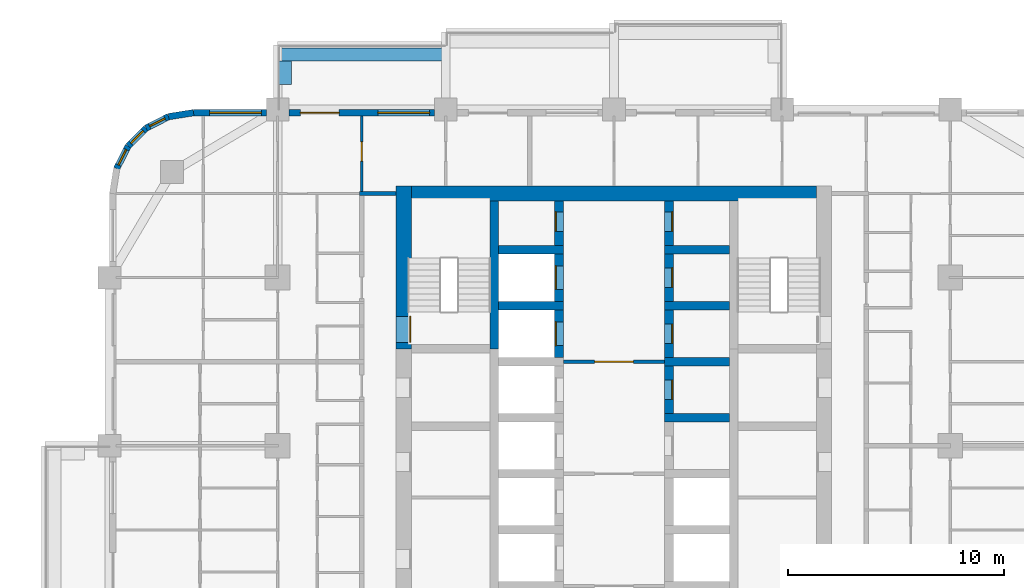
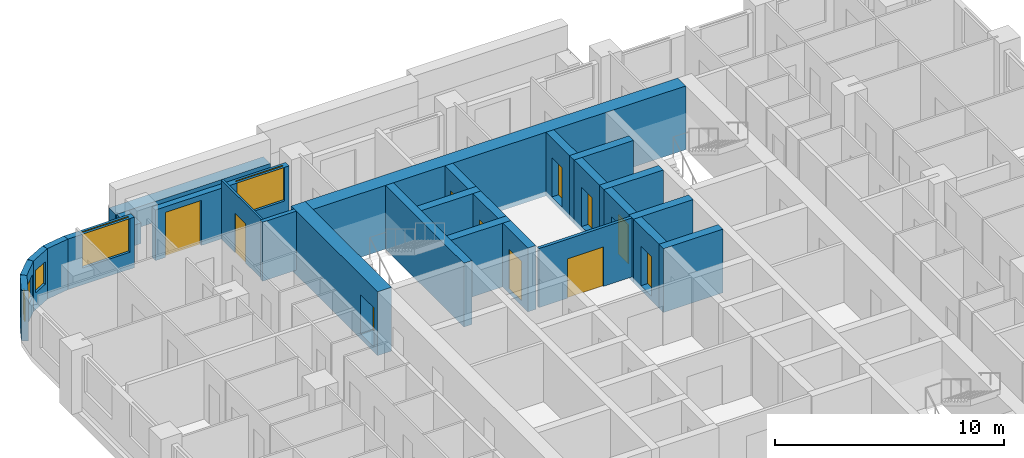
# One storey, part 11 of 17: 27 walls, 11 doors, 5 windows, 16 openings.
"""IFC4 building model written with IfcOpenShell, lengths in metres."""

import ifcopenshell
import ifcopenshell.guid

model = None  # the IFC model being written
_history = None  # IfcOwnerHistory: only IFC2X3 demands one
_inside = {}  # id of a spatial element -> (the spatial element, [elements in it])
_under = {}  # id of a project, library or spatial element -> (it, [spatial elements below it])
_declared = {}  # id of a project -> (the project, [libraries it declares])
_typed = {}  # id of a type object -> (the type object, [elements of that type])
_made_of = {}  # id of a material, layer set ... -> (it, [elements and type objects made of it])


def new_model(schema):
    """Start an empty IFC model of exactly this schema.

    Asked for "IFC4X3", IfcOpenShell would pick the latest addendum, in which some entities
    have other attributes; the version numbers below select the first issue.
    IFC2X3 requires an IfcOwnerHistory on every rooted entity: one is made here for all.
    """
    global model, _history
    if schema == "IFC4X3":
        model = ifcopenshell.file(schema_version=(4, 3, 0, 0))
    else:
        model = ifcopenshell.file(schema=schema)
    _inside.clear()
    _under.clear()
    _declared.clear()
    _typed.clear()
    _made_of.clear()
    _history = None
    if model.schema == "IFC2X3":
        org = make("IfcOrganization", Name="unknown")
        user = make(
            "IfcPersonAndOrganization",
            ThePerson=make("IfcPerson", FamilyName="unknown"),
            TheOrganization=org,
        )
        app = make(
            "IfcApplication",
            ApplicationDeveloper=org,
            Version="unknown",
            ApplicationFullName="unknown",
            ApplicationIdentifier="unknown",
        )
        _history = make(
            "IfcOwnerHistory",
            OwningUser=user,
            OwningApplication=app,
            ChangeAction="ADDED",
            CreationDate=0,
        )
    return model


def make(cls, **values):
    """One entity of the class cls with the attributes given. An attribute that is None is left unset."""
    return model.create_entity(
        cls, **{name: value for name, value in values.items() if value is not None}
    )


def rooted(cls, **values):
    """An entity with a GlobalId (a new one), such as an element, a storey or a relation."""
    return make(cls, GlobalId=ifcopenshell.guid.new(), OwnerHistory=_history, **values)


def si_unit(unit_type, name, prefix=None):
    """IfcSIUnit, for example si_unit("LENGTHUNIT", "METRE", prefix="MILLI")."""
    return make("IfcSIUnit", UnitType=unit_type, Prefix=prefix, Name=name)


def assignment(units):
    """IfcUnitAssignment: the units of a project."""
    return None if units is None else make("IfcUnitAssignment", Units=units)


def point(xyz):
    """IfcCartesianPoint."""
    return None if xyz is None else make("IfcCartesianPoint", Coordinates=xyz)


def direction(xyz):
    """IfcDirection."""
    return None if xyz is None else make("IfcDirection", DirectionRatios=xyz)


def frame(location, z_axis=None, x_axis=None):
    """IfcAxis2Placement3D, a coordinate frame: its origin and axes. An axis left out is left unset."""
    return make(
        "IfcAxis2Placement3D",
        Location=point(location),
        Axis=direction(z_axis),
        RefDirection=direction(x_axis),
    )


def frame_2d(location, x_axis=None):
    """IfcAxis2Placement2D, a coordinate frame in the plane: its origin and x axis."""
    return make(
        "IfcAxis2Placement2D", Location=point(location), RefDirection=direction(x_axis)
    )


def origin():
    """The frame at (0, 0, 0) with its axes left unset."""
    return frame((0.0, 0.0, 0.0))


def place(relative_to, where):
    """IfcLocalPlacement: puts the frame where relative to a parent placement (None: the world)."""
    return make(
        "IfcLocalPlacement", PlacementRelTo=relative_to, RelativePlacement=where
    )


def context(
    kind, dimensions, precision=None, world=None, true_north=None, identifier=None
):
    """IfcGeometricRepresentationContext, for example the 3D "Model" context."""
    return make(
        "IfcGeometricRepresentationContext",
        ContextIdentifier=identifier,
        ContextType=kind,
        CoordinateSpaceDimension=dimensions,
        Precision=precision,
        WorldCoordinateSystem=world,
        TrueNorth=true_north,
    )


def subcontext(parent, identifier, kind, view, scale=None):
    """IfcGeometricRepresentationSubContext, for example "Body" below "Model"."""
    return make(
        "IfcGeometricRepresentationSubContext",
        ContextIdentifier=identifier,
        ContextType=kind,
        ParentContext=parent,
        TargetScale=scale,
        TargetView=view,
    )


def project(units=None, contexts=None):
    """IfcProject with its units and contexts."""
    return rooted(
        "IfcProject",
        Name="project",
        RepresentationContexts=contexts,
        UnitsInContext=assignment(units),
    )


def spatial(cls, under=None, at=None, **own):
    """A site, building, storey or space (cls), placed at a placement, below another one or the project."""
    s = rooted(cls, ObjectPlacement=at, **own)
    if under is not None:
        _under.setdefault(under.id(), (under, []))[1].append(s)
    return s


def profile(cls, at=None, kind="AREA", **sizes):
    """A parametric profile (cls). Its sizes go by their IFC names, for example OverallWidth=200.0."""
    return make(cls, ProfileType=kind, Position=at, **sizes)


def rectangle(**sizes):
    """IfcRectangleProfileDef."""
    return profile("IfcRectangleProfileDef", **sizes)


def extrude(swept, where, along, depth):
    """IfcExtrudedAreaSolid: the profile swept, set in the frame where, extruded along a direction by depth."""
    return make(
        "IfcExtrudedAreaSolid",
        SweptArea=swept,
        Position=where,
        ExtrudedDirection=direction(along),
        Depth=depth,
    )


def shape(context_of_items, identifier, shape_type, items):
    """IfcShapeRepresentation: the items that make up one representation, for example the "Body"."""
    return make(
        "IfcShapeRepresentation",
        ContextOfItems=context_of_items,
        RepresentationIdentifier=identifier,
        RepresentationType=shape_type,
        Items=items,
    )


def material(Name=None, Category=None):
    """IfcMaterial."""
    return make("IfcMaterial", Name=Name, Category=Category)


def layer(
    of_material, thickness, ventilated=None, Name=None, Category=None, Priority=None
):
    """IfcMaterialLayer: one layer of a wall or slab, of a material (None: an air gap)."""
    return make(
        "IfcMaterialLayer",
        Material=of_material,
        LayerThickness=thickness,
        IsVentilated=ventilated,
        Name=Name,
        Category=Category,
        Priority=Priority,
    )


def layer_set(layers, Name=None):
    """IfcMaterialLayerSet."""
    return make("IfcMaterialLayerSet", MaterialLayers=layers, LayerSetName=Name)


def made_of(thing, what):
    """Note that an element or type object is made of a material, layer set ...; save() writes the relation."""
    if what is not None:
        _made_of.setdefault(what.id(), (what, []))[1].append(thing)
    return thing


def type_object(cls, material=None, **own):
    """A type object (cls), such as IfcWallType, which elements share."""
    return made_of(rooted(cls, **own), material)


def element(
    cls,
    number,
    at=None,
    inside=None,
    cuts=None,
    type_object=None,
    material=None,
    context=None,
    identifier="Body",
    shape_type=None,
    held_by="IfcProductDefinitionShape",
    body=None,
    shapes=None,
    **own,
):
    """One element of the class cls, such as IfcWall. Its Tag is "e" and its number.

    at: its placement. inside: the storey or other place that contains it. cuts: it is an
    opening in that element (IfcRelVoidsElement). A single representation is given by context,
    identifier, shape_type and body (its items); several are given by shapes. held_by: the class
    of the entity that holds the representations. save() writes the other relations.
    """
    e = rooted(cls, Tag="e%d" % number, ObjectPlacement=at, **own)
    if body is not None:
        shapes = [shape(context, identifier, shape_type, body)]
    if shapes is not None:
        e.Representation = make(held_by, Representations=shapes)
    if inside is not None:
        _inside.setdefault(inside.id(), (inside, []))[1].append(e)
    if cuts is not None:
        rooted(
            "IfcRelVoidsElement", RelatingBuildingElement=cuts, RelatedOpeningElement=e
        )
    if type_object is not None:
        _typed.setdefault(type_object.id(), (type_object, []))[1].append(e)
    return made_of(e, material)


def fill(opening, filler):
    """IfcRelFillsElement: the door or window that sits in an opening."""
    return rooted(
        "IfcRelFillsElement",
        RelatingOpeningElement=opening,
        RelatedBuildingElement=filler,
    )


def aggregate(whole, parts):
    """IfcRelAggregates: a whole, such as a stair, and the parts it consists of."""
    return rooted("IfcRelAggregates", RelatingObject=whole, RelatedObjects=parts)


def save(model, path):
    """Write the relations noted so far, then the file.

    IfcRelAggregates (storeys below a building ...), IfcRelContainedInSpatialStructure (elements
    in a storey), IfcRelDefinesByType, IfcRelAssociatesMaterial and IfcRelDeclares: one each for
    every whole, place, type object, material and project.
    """
    for whole, parts in _under.values():
        aggregate(whole, parts)
    for where, things in _inside.values():
        rooted(
            "IfcRelContainedInSpatialStructure",
            RelatedElements=things,
            RelatingStructure=where,
        )
    for kind, things in _typed.values():
        rooted("IfcRelDefinesByType", RelatedObjects=things, RelatingType=kind)
    for what, things in _made_of.values():
        rooted("IfcRelAssociatesMaterial", RelatedObjects=things, RelatingMaterial=what)
    for by, libraries in _declared.values():
        rooted("IfcRelDeclares", RelatingContext=by, RelatedDefinitions=libraries)
    model.write(path)


model = new_model("IFC4")

# Units and contexts
model_context = context("Model", 3, precision=1e-05, world=origin(), true_north=direction((0.0, 1.0)))
body_context = subcontext(model_context, "Body", "Model", "MODEL_VIEW")
ifc_project = project(units=[si_unit("LENGTHUNIT", "METRE"), si_unit("AREAUNIT", "SQUARE_METRE"), si_unit("VOLUMEUNIT", "CUBIC_METRE"), si_unit("PLANEANGLEUNIT", "RADIAN"), si_unit("MASSUNIT", "GRAM", prefix="KILO")], contexts=[model_context])

# Site, building, storey
site_placement = place(None, origin())
site = spatial("IfcSite", under=ifc_project, at=site_placement, CompositionType="ELEMENT")
building_placement = place(site_placement, origin())
building = spatial("IfcBuilding", under=site, at=building_placement, Name="Ludao Terraces", CompositionType="ELEMENT")
storey_placement = place(building_placement, frame((0.0, 0.0, 54.60009765625)))
storey = spatial("IfcBuildingStorey", under=building, at=storey_placement, Name="L14", CompositionType="ELEMENT", Elevation=54.60009765625)

# Wall, opening, door
ifc_material_1 = material(Name="Concrete C70", Category="concrete")
ifc_layer_1 = layer(ifc_material_1, 0.699951171875)
ifc_layer_set_1 = layer_set([ifc_layer_1], Name="Core wall 700 C70")
wall_type_1 = type_object("IfcWallType", Name="Core wall 700 C70", PredefinedType="SOLIDWALL", material=ifc_layer_set_1)
wall_1_placement = place(storey_placement, frame((75.25, 77.300048828125, -0.25), z_axis=(0.0, 0.0, 1.0), x_axis=(0.0, 1.0, 0.0)))
wall_1 = element("IfcWall", 1, at=wall_1_placement, inside=storey, type_object=wall_type_1, Name="Core wall L14 outer-W-S1", PredefinedType="SOLIDWALL", context=body_context, shape_type="SweptSolid", body=[
    extrude(rectangle(XDim=7.550048828125, YDim=0.699951171875, at=frame_2d((3.77490234375, 0.0))), origin(), (0.0, 0.0, 1.0), 3.39990234375),
])
opening_1_placement = place(wall_1_placement, frame((0.300048828125, 0.0, 0.25)))
opening_1 = element("IfcOpeningElement", 2, at=opening_1_placement, cuts=wall_1, Name="Opening R04-131", PredefinedType="OPENING", context=body_context, shape_type="SweptSolid", body=[
    extrude(rectangle(XDim=1.199951171875, YDim=2.10009765625, at=frame_2d((0.60009765625, 1.050048828125))), frame((0.0, 0.35986328125, 0.0), z_axis=(0.0, -1.0, 0.0), x_axis=(1.0, 0.0, 0.0)), (0.0, 0.0, 1.0), 0.719970703125),
])
ifc_material_2 = material(Name="Steel Q235", Category="steel")
door_type_1 = type_object("IfcDoorType", Name="INT Stair door 1200", OperationType="DOUBLE_DOOR_SINGLE_SWING", PredefinedType="DOOR", material=ifc_material_2)
door_1_placement = place(opening_1_placement, origin())
door_1 = element("IfcDoor", 3, at=door_1_placement, inside=storey, type_object=door_type_1, Name="DOOR 131", OperationType="DOUBLE_DOOR_SINGLE_SWING", OverallHeight=2.10009765625, OverallWidth=1.199951171875, PredefinedType="DOOR", context=body_context, shape_type="SweptSolid", body=[
    extrude(rectangle(XDim=1.199951171875, YDim=2.10009765625, at=frame_2d((0.60009765625, 1.050048828125))), frame((0.0, -0.28515625, 0.0), z_axis=(0.0, -1.0, 0.0), x_axis=(1.0, 0.0, 0.0)), (0.0, 0.0, 1.0), 0.050048828125),
])
fill(opening_1, door_1)

# Walls
wall_2_placement = place(storey_placement, frame((75.60009765625, 84.5, -0.25), z_axis=(0.0, 0.0, 1.0), x_axis=(1.0, 0.0, 0.0)))
element("IfcWall", 4, at=wall_2_placement, inside=storey, type_object=wall_type_1, Name="Core wall L14 outer-N", PredefinedType="SOLIDWALL", context=body_context, shape_type="SweptSolid", body=[
    extrude(rectangle(XDim=18.7998046875, YDim=0.699951171875, at=frame_2d((9.39990234375, 0.0))), origin(), (0.0, 0.0, 1.0), 3.39990234375),
])
ifc_material_3 = material(Name="Concrete C40", Category="concrete")
ifc_layer_2 = layer(ifc_material_3, 0.60009765625)
ifc_layer_set_2 = layer_set([ifc_layer_2], Name="ENV Planter trough 600")
wall_type_2 = type_object("IfcWallType", Name="ENV Planter trough 600", PredefinedType="USERDEFINED", material=ifc_layer_set_2)
wall_3_placement = place(storey_placement, frame((69.39990234375, 90.949951171875, 0.0), z_axis=(0.0, 0.0, 1.0), x_axis=(1.0, 0.0, 0.0)))
element("IfcWall", 5, at=wall_3_placement, inside=storey, type_object=wall_type_2, Name="PL-L14-N1", ObjectType="PLANTER", PredefinedType="USERDEFINED", context=body_context, shape_type="SweptSolid", body=[
    extrude(rectangle(XDim=7.800048828125, YDim=0.60009765625, at=frame_2d((3.89990234375, 0.0))), origin(), (0.0, 0.0, 1.0), 1.099853515625),
])
wall_4_placement = place(storey_placement, frame((69.75, 90.64990234375, 0.0), z_axis=(0.0, 0.0, 1.0), x_axis=(0.0, -1.0, 0.0)))
element("IfcWall", 6, at=wall_4_placement, inside=storey, type_object=wall_type_2, Name="PL-L14-N1-SA", ObjectType="PLANTER", PredefinedType="USERDEFINED", context=body_context, shape_type="SweptSolid", body=[
    extrude(rectangle(XDim=1.099853515625, YDim=0.60009765625, at=frame_2d((0.5498046875, 0.0))), origin(), (0.0, 0.0, 1.0), 1.099853515625),
])

# Wall, opening, window
ifc_material_4 = material(Name="Granite cladding", Category="masonry")
ifc_layer_3 = layer(ifc_material_4, 0.0400390625, Category="stone")
ifc_material_5 = material(Name="Mineral wool")
ifc_layer_4 = layer(ifc_material_5, 0.06005859375)
ifc_layer_5 = layer(ifc_material_3, 0.199951171875, Category="concrete")
ifc_layer_set_3 = layer_set([ifc_layer_3, ifc_layer_4, ifc_layer_5], Name="ENV Stone-clad wall 300")
wall_type_3 = type_object("IfcWallType", Name="ENV Stone-clad wall 300", PredefinedType="SOLIDWALL", material=ifc_layer_set_3)
wall_5_placement = place(storey_placement, frame((65.5, 88.25, 0.0), z_axis=(0.0, 0.0, 1.0), x_axis=(1.0, 0.0, 0.0)))
wall_5 = element("IfcWall", 7, at=wall_5_placement, inside=storey, type_object=wall_type_3, Name="EW-L14-N1", PredefinedType="SOLIDWALL", context=body_context, shape_type="SweptSolid", body=[
    extrude(rectangle(XDim=3.375, YDim=0.300048828125, at=frame_2d((1.6875, 0.0))), origin(), (0.0, 0.0, 1.0), 2.699951171875),
])
opening_2_placement = place(wall_5_placement, frame((0.75, 0.0, 0.89990234375)))
opening_2 = element("IfcOpeningElement", 8, at=opening_2_placement, cuts=wall_5, Name="Opening W1", PredefinedType="OPENING", context=body_context, shape_type="SweptSolid", body=[
    extrude(rectangle(XDim=2.39990234375, YDim=1.800048828125, at=frame_2d((1.199951171875, 0.89990234375))), frame((0.0, 0.16015625, 0.0), z_axis=(0.0, -1.0, 0.0), x_axis=(1.0, 0.0, 0.0)), (0.0, 0.0, 1.0), 0.320068359375),
])
ifc_material_6 = material(Name="Clear glass in aluminium frame", Category="aluminium")
ifc_layer_6 = layer(ifc_material_6, 0.06005859375)
ifc_layer_set_4 = layer_set([ifc_layer_6], Name="ENV Window W1 2400x1800")
window_type_1 = type_object("IfcWindowType", Name="ENV Window W1 2400x1800", PartitioningType="DOUBLE_PANEL_VERTICAL", PredefinedType="WINDOW", material=ifc_layer_set_4)
window_1_placement = place(opening_2_placement, origin())
window_1 = element("IfcWindow", 9, at=window_1_placement, inside=storey, type_object=window_type_1, Name="W-L14-N1-1", OverallHeight=1.800048828125, OverallWidth=2.39990234375, PartitioningType="DOUBLE_PANEL_VERTICAL", PredefinedType="WINDOW", context=body_context, shape_type="SweptSolid", body=[
    extrude(rectangle(XDim=2.39990234375, YDim=1.800048828125, at=frame_2d((1.199951171875, 0.89990234375))), frame((0.0, 0.030029296875, 0.0), z_axis=(0.0, -1.0, 0.0), x_axis=(1.0, 0.0, 0.0)), (0.0, 0.0, 1.0), 0.06005859375),
])
fill(opening_2, window_1)

# Wall, openings, door, window
wall_6_placement = place(storey_placement, frame((69.925048828125, 88.25, 0.0), z_axis=(0.0, 0.0, 1.0), x_axis=(1.0, 0.0, 0.0)))
wall_6 = element("IfcWall", 10, at=wall_6_placement, inside=storey, type_object=wall_type_3, Name="EW-L14-N2", PredefinedType="SOLIDWALL", context=body_context, shape_type="SweptSolid", body=[
    extrude(rectangle(XDim=6.75, YDim=0.300048828125, at=frame_2d((3.375, 0.0))), origin(), (0.0, 0.0, 1.0), 2.699951171875),
])
opening_3_placement = place(wall_6_placement, frame((0.52490234375, 0.0, 0.0)))
opening_3 = element("IfcOpeningElement", 11, at=opening_3_placement, cuts=wall_6, Name="Opening BD", PredefinedType="OPENING", context=body_context, shape_type="SweptSolid", body=[
    extrude(rectangle(XDim=1.800048828125, YDim=2.39990234375, at=frame_2d((0.89990234375, 1.199951171875))), frame((0.0, 0.16015625, 0.0), z_axis=(0.0, -1.0, 0.0), x_axis=(1.0, 0.0, 0.0)), (0.0, 0.0, 1.0), 0.320068359375),
])
opening_4_placement = place(wall_6_placement, frame((4.125, 0.0, 0.89990234375)))
opening_4 = element("IfcOpeningElement", 12, at=opening_4_placement, cuts=wall_6, Name="Opening W1", PredefinedType="OPENING", context=body_context, shape_type="SweptSolid", body=[
    extrude(rectangle(XDim=2.39990234375, YDim=1.800048828125, at=frame_2d((1.199951171875, 0.89990234375))), frame((0.0, 0.16015625, 0.0), z_axis=(0.0, -1.0, 0.0), x_axis=(1.0, 0.0, 0.0)), (0.0, 0.0, 1.0), 0.320068359375),
])
ifc_material_7 = material(Name="Aluminium glazed door", Category="aluminium")
ifc_layer_7 = layer(ifc_material_7, 0.06005859375)
ifc_layer_set_5 = layer_set([ifc_layer_7], Name="ENV Balcony door BD 1800x2400")
door_type_2 = type_object("IfcDoorType", Name="ENV Balcony door BD 1800x2400", OperationType="DOUBLE_DOOR_SINGLE_SWING", PredefinedType="DOOR", material=ifc_layer_set_5)
door_2_placement = place(opening_3_placement, origin())
door_2 = element("IfcDoor", 13, at=door_2_placement, inside=storey, type_object=door_type_2, Name="BD-L14-N2-1", OperationType="DOUBLE_DOOR_SINGLE_SWING", OverallHeight=2.39990234375, OverallWidth=1.800048828125, PredefinedType="DOOR", context=body_context, shape_type="SweptSolid", body=[
    extrude(rectangle(XDim=1.800048828125, YDim=2.39990234375, at=frame_2d((0.89990234375, 1.199951171875))), frame((0.0, 0.02490234375, 0.0), z_axis=(0.0, -1.0, 0.0), x_axis=(1.0, 0.0, 0.0)), (0.0, 0.0, 1.0), 0.050048828125),
])
fill(opening_3, door_2)
window_2_placement = place(opening_4_placement, origin())
window_2 = element("IfcWindow", 14, at=window_2_placement, inside=storey, type_object=window_type_1, Name="W-L14-N2-2", OverallHeight=1.800048828125, OverallWidth=2.39990234375, PartitioningType="DOUBLE_PANEL_VERTICAL", PredefinedType="WINDOW", context=body_context, shape_type="SweptSolid", body=[
    extrude(rectangle(XDim=2.39990234375, YDim=1.800048828125, at=frame_2d((1.199951171875, 0.89990234375))), frame((0.0, 0.030029296875, 0.0), z_axis=(0.0, -1.0, 0.0), x_axis=(1.0, 0.0, 0.0)), (0.0, 0.0, 1.0), 0.06005859375),
])
fill(opening_4, window_2)

# Wall
wall_7_placement = place(storey_placement, frame((65.5, 88.25, 0.0), z_axis=(0.0, 0.0, 1.0), x_axis=(-0.987678452879, -0.156496880861, 0.0)))
element("IfcWall", 15, at=wall_7_placement, inside=storey, type_object=wall_type_3, Name="EW-L14-NW1", PredefinedType="SOLIDWALL", context=body_context, shape_type="SweptSolid", body=[
    extrude(rectangle(XDim=1.173095703125, YDim=0.300048828125, at=frame_2d((0.58642578125, 0.0))), origin(), (0.0, 0.0, 1.0), 2.699951171875),
])

# Wall, opening, window
wall_8_placement = place(storey_placement, frame((64.34130859375, 88.06640625, 0.0), z_axis=(0.0, 0.0, 1.0), x_axis=(-0.890988677504, -0.454025524128, 0.0)))
wall_8 = element("IfcWall", 16, at=wall_8_placement, inside=storey, type_object=wall_type_3, Name="EW-L14-NW2", PredefinedType="SOLIDWALL", context=body_context, shape_type="SweptSolid", body=[
    extrude(rectangle(XDim=1.17333984375, YDim=0.300048828125, at=frame_2d((0.586669921875, 0.0))), origin(), (0.0, 0.0, 1.0), 2.699951171875),
])
opening_5_placement = place(wall_8_placement, frame((0.1865234375, 0.0, 0.89990234375)))
opening_5 = element("IfcOpeningElement", 17, at=opening_5_placement, cuts=wall_8, Name="Opening W3", PredefinedType="OPENING", context=body_context, shape_type="SweptSolid", body=[
    extrude(rectangle(XDim=0.800048828125, YDim=1.199951171875, at=frame_2d((0.39990234375, 0.60009765625))), frame((0.0, 0.16015625, 0.0), z_axis=(0.0, -1.0, 0.0), x_axis=(1.0, 0.0, 0.0)), (0.0, 0.0, 1.0), 0.320068359375),
])
ifc_layer_8 = layer(ifc_material_6, 0.06005859375)
ifc_layer_set_6 = layer_set([ifc_layer_8], Name="ENV Window W3 800x1200")
window_type_2 = type_object("IfcWindowType", Name="ENV Window W3 800x1200", PartitioningType="SINGLE_PANEL", PredefinedType="WINDOW", material=ifc_layer_set_6)
window_3_placement = place(opening_5_placement, origin())
window_3 = element("IfcWindow", 18, at=window_3_placement, inside=storey, type_object=window_type_2, Name="W-L14-NW2", OverallHeight=1.199951171875, OverallWidth=0.800048828125, PartitioningType="SINGLE_PANEL", PredefinedType="WINDOW", context=body_context, shape_type="SweptSolid", body=[
    extrude(rectangle(XDim=0.800048828125, YDim=1.199951171875, at=frame_2d((0.39990234375, 0.60009765625))), frame((0.0, 0.030029296875, 0.0), z_axis=(0.0, -1.0, 0.0), x_axis=(1.0, 0.0, 0.0)), (0.0, 0.0, 1.0), 0.06005859375),
])
fill(opening_5, window_3)

wall_9_placement = place(storey_placement, frame((63.2958984375, 87.53369140625, 0.0), z_axis=(0.0, 0.0, 1.0), x_axis=(-0.707106781187, -0.707106781187, 0.0)))
wall_9 = element("IfcWall", 19, at=wall_9_placement, inside=storey, type_object=wall_type_3, Name="EW-L14-NW3", PredefinedType="SOLIDWALL", context=body_context, shape_type="SweptSolid", body=[
    extrude(rectangle(XDim=1.173095703125, YDim=0.300048828125, at=frame_2d((0.58642578125, 0.0))), origin(), (0.0, 0.0, 1.0), 2.699951171875),
])
opening_6_placement = place(wall_9_placement, frame((0.1865234375, 0.0, 0.89990234375)))
opening_6 = element("IfcOpeningElement", 20, at=opening_6_placement, cuts=wall_9, Name="Opening W3", PredefinedType="OPENING", context=body_context, shape_type="SweptSolid", body=[
    extrude(rectangle(XDim=0.800048828125, YDim=1.199951171875, at=frame_2d((0.39990234375, 0.60009765625))), frame((0.0, 0.16015625, 0.0), z_axis=(0.0, -1.0, 0.0), x_axis=(1.0, 0.0, 0.0)), (0.0, 0.0, 1.0), 0.320068359375),
])
window_4_placement = place(opening_6_placement, origin())
window_4 = element("IfcWindow", 21, at=window_4_placement, inside=storey, type_object=window_type_2, Name="W-L14-NW3", OverallHeight=1.199951171875, OverallWidth=0.800048828125, PartitioningType="SINGLE_PANEL", PredefinedType="WINDOW", context=body_context, shape_type="SweptSolid", body=[
    extrude(rectangle(XDim=0.800048828125, YDim=1.199951171875, at=frame_2d((0.39990234375, 0.60009765625))), frame((0.0, 0.030029296875, 0.0), z_axis=(0.0, -1.0, 0.0), x_axis=(1.0, 0.0, 0.0)), (0.0, 0.0, 1.0), 0.06005859375),
])
fill(opening_6, window_4)

wall_10_placement = place(storey_placement, frame((62.46630859375, 86.7041015625, 0.0), z_axis=(0.0, 0.0, 1.0), x_axis=(-0.454025524128, -0.890988677504, 0.0)))
wall_10 = element("IfcWall", 22, at=wall_10_placement, inside=storey, type_object=wall_type_3, Name="EW-L14-NW4", PredefinedType="SOLIDWALL", context=body_context, shape_type="SweptSolid", body=[
    extrude(rectangle(XDim=1.17333984375, YDim=0.300048828125, at=frame_2d((0.586669921875, 0.0))), origin(), (0.0, 0.0, 1.0), 2.699951171875),
])
opening_7_placement = place(wall_10_placement, frame((0.1865234375, 0.0, 0.89990234375)))
opening_7 = element("IfcOpeningElement", 23, at=opening_7_placement, cuts=wall_10, Name="Opening W3", PredefinedType="OPENING", context=body_context, shape_type="SweptSolid", body=[
    extrude(rectangle(XDim=0.800048828125, YDim=1.199951171875, at=frame_2d((0.39990234375, 0.60009765625))), frame((0.0, 0.16015625, 0.0), z_axis=(0.0, -1.0, 0.0), x_axis=(1.0, 0.0, 0.0)), (0.0, 0.0, 1.0), 0.320068359375),
])
window_5_placement = place(opening_7_placement, origin())
window_5 = element("IfcWindow", 24, at=window_5_placement, inside=storey, type_object=window_type_2, Name="W-L14-NW4", OverallHeight=1.199951171875, OverallWidth=0.800048828125, PartitioningType="SINGLE_PANEL", PredefinedType="WINDOW", context=body_context, shape_type="SweptSolid", body=[
    extrude(rectangle(XDim=0.800048828125, YDim=1.199951171875, at=frame_2d((0.39990234375, 0.60009765625))), frame((0.0, 0.030029296875, 0.0), z_axis=(0.0, -1.0, 0.0), x_axis=(1.0, 0.0, 0.0)), (0.0, 0.0, 1.0), 0.06005859375),
])
fill(opening_7, window_5)

# Wall, opening, door
ifc_material_8 = material(Name="Fire-rated gypsum plasterboard", Category="gypsum")
ifc_layer_9 = layer(ifc_material_8, 0.012451171875, Category="gypsum")
ifc_layer_10 = layer(ifc_material_5, 0.10009765625, Name="insulation")
ifc_layer_11 = layer(ifc_material_2, 0.02490234375, Name="stud")
ifc_layer_12 = layer(ifc_material_8, 0.012451171875, Category="gypsum")
ifc_layer_set_7 = layer_set([ifc_layer_9, ifc_layer_10, ifc_layer_11, ifc_layer_12], Name="INT Core partition 150")
wall_type_4 = type_object("IfcWallType", Name="INT Core partition 150", PredefinedType="PARTITIONING", material=ifc_layer_set_7)
wall_11_placement = place(storey_placement, frame((82.650146484375, 76.699951171875, 0.0), z_axis=(0.0, 0.0, 1.0), x_axis=(1.0, 0.0, 0.0)))
wall_11 = element("IfcWall", 25, at=wall_11_placement, inside=storey, type_object=wall_type_4, Name="PW-L14-PW063", PredefinedType="PARTITIONING", context=body_context, shape_type="SweptSolid", body=[
    extrude(rectangle(XDim=4.699951171875, YDim=0.14990234375, at=frame_2d((2.35009765625, 0.0))), origin(), (0.0, 0.0, 1.0), 3.14990234375),
])
opening_8_placement = place(wall_11_placement, frame((1.449951171875, 0.0, 0.0)))
opening_8 = element("IfcOpeningElement", 26, at=opening_8_placement, cuts=wall_11, Name="Opening R04-125", PredefinedType="OPENING", context=body_context, shape_type="SweptSolid", body=[
    extrude(rectangle(XDim=1.800048828125, YDim=2.10009765625, at=frame_2d((0.89990234375, 1.050048828125))), frame((0.0, 0.0849609375, 0.0), z_axis=(0.0, -1.0, 0.0), x_axis=(1.0, 0.0, 0.0)), (0.0, 0.0, 1.0), 0.169921875),
])
door_type_3 = type_object("IfcDoorType", Name="INT Fire lobby door 1800", OperationType="DOUBLE_DOOR_SINGLE_SWING", PredefinedType="DOOR", material=ifc_material_2)
door_3_placement = place(opening_8_placement, origin())
door_3 = element("IfcDoor", 27, at=door_3_placement, inside=storey, type_object=door_type_3, Name="DOOR 125", OperationType="DOUBLE_DOOR_SINGLE_SWING", OverallHeight=2.10009765625, OverallWidth=1.800048828125, PredefinedType="DOOR", context=body_context, shape_type="SweptSolid", body=[
    extrude(rectangle(XDim=1.800048828125, YDim=2.10009765625, at=frame_2d((0.89990234375, 1.050048828125))), frame((0.0, 0.02490234375, 0.0), z_axis=(0.0, -1.0, 0.0), x_axis=(1.0, 0.0, 0.0)), (0.0, 0.0, 1.0), 0.050048828125),
])
fill(opening_8, door_3)

# Wall
ifc_material_9 = material(Name="Autoclaved aerated concrete block B06 A3.5", Category="concrete")
ifc_layer_13 = layer(ifc_material_9, 0.199951171875)
ifc_layer_set_8 = layer_set([ifc_layer_13], Name="INT Entrance wall 200")
wall_type_5 = type_object("IfcWallType", Name="INT Entrance wall 200", PredefinedType="PARTITIONING", material=ifc_layer_set_8)
wall_12_placement = place(storey_placement, frame((73.2001953125, 84.5, 0.0), z_axis=(0.0, 0.0, 1.0), x_axis=(1.0, 0.0, 0.0)))
element("IfcWall", 28, at=wall_12_placement, inside=storey, type_object=wall_type_5, Name="PW-L14-PW077", PredefinedType="PARTITIONING", context=body_context, shape_type="SweptSolid", body=[
    extrude(rectangle(XDim=1.699951171875, YDim=0.199951171875, at=frame_2d((0.85009765625, 0.0))), origin(), (0.0, 0.0, 1.0), 3.14990234375),
])

# Wall, opening, door
ifc_material_10 = material(Name="Gypsum plasterboard", Category="gypsum")
ifc_layer_14 = layer(ifc_material_10, 0.012451171875, Category="gypsum")
ifc_layer_15 = layer(ifc_material_5, 0.06005859375, Name="insulation")
ifc_layer_16 = layer(ifc_material_2, 0.014892578125, Name="stud")
ifc_layer_17 = layer(ifc_material_10, 0.012451171875, Category="gypsum")
ifc_layer_set_9 = layer_set([ifc_layer_14, ifc_layer_15, ifc_layer_16, ifc_layer_17], Name="INT Partition 100")
wall_type_6 = type_object("IfcWallType", Name="INT Partition 100", PredefinedType="PARTITIONING", material=ifc_layer_set_9)
wall_13_placement = place(storey_placement, frame((73.300048828125, 84.60009765625, 0.0), z_axis=(0.0, 0.0, 1.0), x_axis=(0.0, 1.0, 0.0)))
wall_13 = element("IfcWall", 29, at=wall_13_placement, inside=storey, type_object=wall_type_6, Name="PW-L14-PW090", PredefinedType="PARTITIONING", context=body_context, shape_type="SweptSolid", body=[
    extrude(rectangle(XDim=3.5, YDim=0.10009765625, at=frame_2d((1.75, 0.0))), origin(), (0.0, 0.0, 1.0), 3.14990234375),
])
opening_9_placement = place(wall_13_placement, frame((1.39990234375, 0.0, 0.0)))
opening_9 = element("IfcOpeningElement", 30, at=opening_9_placement, cuts=wall_13, Name="Opening R04-157", PredefinedType="OPENING", context=body_context, shape_type="SweptSolid", body=[
    extrude(rectangle(XDim=0.89990234375, YDim=2.10009765625, at=frame_2d((0.449951171875, 1.050048828125))), frame((0.0, 0.06005859375, 0.0), z_axis=(0.0, -1.0, 0.0), x_axis=(1.0, 0.0, 0.0)), (0.0, 0.0, 1.0), 0.1201171875),
])
ifc_material_11 = material(Name="Timber door leaf", Category="wood")
door_type_4 = type_object("IfcDoorType", Name="INT Room door 900", OperationType="SINGLE_SWING_LEFT", PredefinedType="DOOR", material=ifc_material_11)
door_4_placement = place(opening_9_placement, origin())
door_4 = element("IfcDoor", 31, at=door_4_placement, inside=storey, type_object=door_type_4, Name="DOOR 157", OperationType="SINGLE_SWING_LEFT", OverallHeight=2.10009765625, OverallWidth=0.89990234375, PredefinedType="DOOR", context=body_context, shape_type="SweptSolid", body=[
    extrude(rectangle(XDim=0.89990234375, YDim=2.10009765625, at=frame_2d((0.449951171875, 1.050048828125))), frame((0.0, 0.02490234375, 0.0), z_axis=(0.0, -1.0, 0.0), x_axis=(1.0, 0.0, 0.0)), (0.0, 0.0, 1.0), 0.050048828125),
])
fill(opening_9, door_4)

# Wall
ifc_material_12 = material(Name="Concrete C60", Category="concrete")
ifc_layer_18 = layer(ifc_material_12, 0.39990234375)
ifc_layer_set_10 = layer_set([ifc_layer_18], Name="Shaft wall 400 C60")
wall_type_7 = type_object("IfcWallType", Name="Shaft wall 400 C60", PredefinedType="SOLIDWALL", material=ifc_layer_set_10)
wall_14_placement = place(storey_placement, frame((79.449951171875, 77.300048828125, -0.25), z_axis=(0.0, 0.0, 1.0), x_axis=(0.0, 1.0, 0.0)))
element("IfcWall", 32, at=wall_14_placement, inside=storey, type_object=wall_type_7, Name="Core wall L14 back-W-S1", PredefinedType="SOLIDWALL", context=body_context, shape_type="SweptSolid", body=[
    extrude(rectangle(XDim=6.849853515625, YDim=0.39990234375, at=frame_2d((3.4248046875, 0.0))), origin(), (0.0, 0.0, 1.0), 3.39990234375),
])

# Wall, opening, door
wall_15_placement = place(storey_placement, frame((82.449951171875, 76.89990234375, -0.25), z_axis=(0.0, 0.0, 1.0), x_axis=(0.0, 1.0, 0.0)))
wall_15 = element("IfcWall", 33, at=wall_15_placement, inside=storey, type_object=wall_type_7, Name="Core wall L14 front-W7", PredefinedType="SOLIDWALL", context=body_context, shape_type="SweptSolid", body=[
    extrude(rectangle(XDim=2.2001953125, YDim=0.39990234375, at=frame_2d((1.10009765625, 0.0))), origin(), (0.0, 0.0, 1.0), 3.39990234375),
])
opening_10_placement = place(wall_15_placement, frame((0.550048828125, 0.0, 0.25)))
opening_10 = element("IfcOpeningElement", 34, at=opening_10_placement, cuts=wall_15, Name="Opening LD-FF1", PredefinedType="OPENING", context=body_context, shape_type="SweptSolid", body=[
    extrude(rectangle(XDim=1.10009765625, YDim=2.10009765625, at=frame_2d((0.550048828125, 1.050048828125))), frame((0.0, 0.2099609375, 0.0), z_axis=(0.0, -1.0, 0.0), x_axis=(1.0, 0.0, 0.0)), (0.0, 0.0, 1.0), 0.419921875),
])
ifc_material_13 = material(Name="Stainless steel 304", Category="steel")
door_type_5 = type_object("IfcDoorType", Name="INT Lift landing door 1100", OperationType="SLIDING_TO_LEFT", PredefinedType="DOOR", material=ifc_material_13)
door_5_placement = place(opening_10_placement, origin())
door_5 = element("IfcDoor", 35, at=door_5_placement, inside=storey, type_object=door_type_5, Name="LANDING DOOR FF1 L14", OperationType="SLIDING_TO_LEFT", OverallHeight=2.10009765625, OverallWidth=1.10009765625, PredefinedType="DOOR", context=body_context, shape_type="SweptSolid", body=[
    extrude(rectangle(XDim=1.10009765625, YDim=2.10009765625, at=frame_2d((0.550048828125, 1.050048828125))), frame((0.0, 0.18505859375, 0.0), z_axis=(0.0, -1.0, 0.0), x_axis=(1.0, 0.0, 0.0)), (0.0, 0.0, 1.0), 0.050048828125),
])
fill(opening_10, door_5)

# Wall
wall_16_placement = place(storey_placement, frame((79.64990234375, 79.300048828125, -0.25), z_axis=(0.0, 0.0, 1.0), x_axis=(1.0, 0.0, 0.0)))
element("IfcWall", 36, at=wall_16_placement, inside=storey, type_object=wall_type_7, Name="Core wall L14 div-W8", PredefinedType="SOLIDWALL", context=body_context, shape_type="SweptSolid", body=[
    extrude(rectangle(XDim=3.0, YDim=0.39990234375, at=frame_2d((1.5, 0.0))), origin(), (0.0, 0.0, 1.0), 3.39990234375),
])

# Wall, opening, door
wall_17_placement = place(storey_placement, frame((82.449951171875, 79.5, -0.25), z_axis=(0.0, 0.0, 1.0), x_axis=(0.0, 1.0, 0.0)))
wall_17 = element("IfcWall", 37, at=wall_17_placement, inside=storey, type_object=wall_type_7, Name="Core wall L14 front-W8", PredefinedType="SOLIDWALL", context=body_context, shape_type="SweptSolid", body=[
    extrude(rectangle(XDim=2.199951171875, YDim=0.39990234375, at=frame_2d((1.10009765625, 0.0))), origin(), (0.0, 0.0, 1.0), 3.39990234375),
])
opening_11_placement = place(wall_17_placement, frame((0.550048828125, 0.0, 0.25)))
opening_11 = element("IfcOpeningElement", 38, at=opening_11_placement, cuts=wall_17, Name="Opening LD-FF2", PredefinedType="OPENING", context=body_context, shape_type="SweptSolid", body=[
    extrude(rectangle(XDim=1.10009765625, YDim=2.10009765625, at=frame_2d((0.550048828125, 1.050048828125))), frame((0.0, 0.2099609375, 0.0), z_axis=(0.0, -1.0, 0.0), x_axis=(1.0, 0.0, 0.0)), (0.0, 0.0, 1.0), 0.419921875),
])
door_6_placement = place(opening_11_placement, origin())
door_6 = element("IfcDoor", 39, at=door_6_placement, inside=storey, type_object=door_type_5, Name="LANDING DOOR FF2 L14", OperationType="SLIDING_TO_LEFT", OverallHeight=2.10009765625, OverallWidth=1.10009765625, PredefinedType="DOOR", context=body_context, shape_type="SweptSolid", body=[
    extrude(rectangle(XDim=1.10009765625, YDim=2.10009765625, at=frame_2d((0.550048828125, 1.050048828125))), frame((0.0, 0.18505859375, 0.0), z_axis=(0.0, -1.0, 0.0), x_axis=(1.0, 0.0, 0.0)), (0.0, 0.0, 1.0), 0.050048828125),
])
fill(opening_11, door_6)

# Wall
wall_18_placement = place(storey_placement, frame((79.64990234375, 81.89990234375, -0.25), z_axis=(0.0, 0.0, 1.0), x_axis=(1.0, 0.0, 0.0)))
element("IfcWall", 40, at=wall_18_placement, inside=storey, type_object=wall_type_7, Name="Core wall L14 div-W9", PredefinedType="SOLIDWALL", context=body_context, shape_type="SweptSolid", body=[
    extrude(rectangle(XDim=3.0, YDim=0.39990234375, at=frame_2d((1.5, 0.0))), origin(), (0.0, 0.0, 1.0), 3.39990234375),
])

# Wall, opening, door
wall_19_placement = place(storey_placement, frame((82.449951171875, 82.10009765625, -0.25), z_axis=(0.0, 0.0, 1.0), x_axis=(0.0, 1.0, 0.0)))
wall_19 = element("IfcWall", 41, at=wall_19_placement, inside=storey, type_object=wall_type_7, Name="Core wall L14 front-W9", PredefinedType="SOLIDWALL", context=body_context, shape_type="SweptSolid", body=[
    extrude(rectangle(XDim=2.0498046875, YDim=0.39990234375, at=frame_2d((1.02490234375, 0.0))), origin(), (0.0, 0.0, 1.0), 3.39990234375),
])
opening_12_placement = place(wall_19_placement, frame((0.64990234375, 0.0, 0.25)))
opening_12 = element("IfcOpeningElement", 42, at=opening_12_placement, cuts=wall_19, Name="Opening R04-148", PredefinedType="OPENING", context=body_context, shape_type="SweptSolid", body=[
    extrude(rectangle(XDim=0.89990234375, YDim=2.10009765625, at=frame_2d((0.449951171875, 1.050048828125))), frame((0.0, 0.2099609375, 0.0), z_axis=(0.0, -1.0, 0.0), x_axis=(1.0, 0.0, 0.0)), (0.0, 0.0, 1.0), 0.419921875),
])
door_7_placement = place(opening_12_placement, origin())
door_7 = element("IfcDoor", 43, at=door_7_placement, inside=storey, type_object=door_type_4, Name="DOOR 148", OperationType="SINGLE_SWING_RIGHT", OverallHeight=2.10009765625, OverallWidth=0.89990234375, PredefinedType="DOOR", context=body_context, shape_type="SweptSolid", body=[
    extrude(rectangle(XDim=0.89990234375, YDim=2.10009765625, at=frame_2d((0.449951171875, 1.050048828125))), frame((0.0, 0.18505859375, 0.0), z_axis=(0.0, -1.0, 0.0), x_axis=(1.0, 0.0, 0.0)), (0.0, 0.0, 1.0), 0.050048828125),
])
fill(opening_12, door_7)

# Wall
wall_20_placement = place(storey_placement, frame((87.35009765625, 74.10009765625, -0.25), z_axis=(0.0, 0.0, 1.0), x_axis=(1.0, 0.0, 0.0)))
element("IfcWall", 44, at=wall_20_placement, inside=storey, type_object=wall_type_7, Name="Core wall L14 div-E6", PredefinedType="SOLIDWALL", context=body_context, shape_type="SweptSolid", body=[
    extrude(rectangle(XDim=3.0, YDim=0.39990234375, at=frame_2d((1.5, 0.0))), origin(), (0.0, 0.0, 1.0), 3.39990234375),
])

# Wall, opening, door
wall_21_placement = place(storey_placement, frame((87.550048828125, 74.300048828125, -0.25), z_axis=(0.0, 0.0, 1.0), x_axis=(0.0, 1.0, 0.0)))
wall_21 = element("IfcWall", 45, at=wall_21_placement, inside=storey, type_object=wall_type_7, Name="Core wall L14 front-E6", PredefinedType="SOLIDWALL", context=body_context, shape_type="SweptSolid", body=[
    extrude(rectangle(XDim=2.199951171875, YDim=0.39990234375, at=frame_2d((1.10009765625, 0.0))), origin(), (0.0, 0.0, 1.0), 3.39990234375),
])
opening_13_placement = place(wall_21_placement, frame((0.64990234375, 0.0, 0.25)))
opening_13 = element("IfcOpeningElement", 46, at=opening_13_placement, cuts=wall_21, Name="Opening R04-116", PredefinedType="OPENING", context=body_context, shape_type="SweptSolid", body=[
    extrude(rectangle(XDim=0.89990234375, YDim=2.10009765625, at=frame_2d((0.449951171875, 1.050048828125))), frame((0.0, 0.2099609375, 0.0), z_axis=(0.0, -1.0, 0.0), x_axis=(1.0, 0.0, 0.0)), (0.0, 0.0, 1.0), 0.419921875),
])
door_8_placement = place(opening_13_placement, origin())
door_8 = element("IfcDoor", 47, at=door_8_placement, inside=storey, type_object=door_type_4, Name="DOOR 116", OperationType="SINGLE_SWING_LEFT", OverallHeight=2.10009765625, OverallWidth=0.89990234375, PredefinedType="DOOR", context=body_context, shape_type="SweptSolid", body=[
    extrude(rectangle(XDim=0.89990234375, YDim=2.10009765625, at=frame_2d((0.449951171875, 1.050048828125))), frame((0.0, -0.134765625, 0.0), z_axis=(0.0, -1.0, 0.0), x_axis=(1.0, 0.0, 0.0)), (0.0, 0.0, 1.0), 0.050048828125),
])
fill(opening_13, door_8)

# Wall
wall_22_placement = place(storey_placement, frame((87.35009765625, 76.699951171875, -0.25), z_axis=(0.0, 0.0, 1.0), x_axis=(1.0, 0.0, 0.0)))
element("IfcWall", 48, at=wall_22_placement, inside=storey, type_object=wall_type_7, Name="Core wall L14 div-E7", PredefinedType="SOLIDWALL", context=body_context, shape_type="SweptSolid", body=[
    extrude(rectangle(XDim=3.0, YDim=0.39990234375, at=frame_2d((1.5, 0.0))), origin(), (0.0, 0.0, 1.0), 3.39990234375),
])

# Wall, opening, door
wall_23_placement = place(storey_placement, frame((87.550048828125, 76.89990234375, -0.25), z_axis=(0.0, 0.0, 1.0), x_axis=(0.0, 1.0, 0.0)))
wall_23 = element("IfcWall", 49, at=wall_23_placement, inside=storey, type_object=wall_type_7, Name="Core wall L14 front-E7", PredefinedType="SOLIDWALL", context=body_context, shape_type="SweptSolid", body=[
    extrude(rectangle(XDim=2.2001953125, YDim=0.39990234375, at=frame_2d((1.10009765625, 0.0))), origin(), (0.0, 0.0, 1.0), 3.39990234375),
])
opening_14_placement = place(wall_23_placement, frame((0.64990234375, 0.0, 0.25)))
opening_14 = element("IfcOpeningElement", 50, at=opening_14_placement, cuts=wall_23, Name="Opening R04-130", PredefinedType="OPENING", context=body_context, shape_type="SweptSolid", body=[
    extrude(rectangle(XDim=0.89990234375, YDim=2.10009765625, at=frame_2d((0.449951171875, 1.050048828125))), frame((0.0, 0.2099609375, 0.0), z_axis=(0.0, -1.0, 0.0), x_axis=(1.0, 0.0, 0.0)), (0.0, 0.0, 1.0), 0.419921875),
])
door_9_placement = place(opening_14_placement, origin())
door_9 = element("IfcDoor", 51, at=door_9_placement, inside=storey, type_object=door_type_4, Name="DOOR 130", OperationType="SINGLE_SWING_RIGHT", OverallHeight=2.10009765625, OverallWidth=0.89990234375, PredefinedType="DOOR", context=body_context, shape_type="SweptSolid", body=[
    extrude(rectangle(XDim=0.89990234375, YDim=2.10009765625, at=frame_2d((0.449951171875, 1.050048828125))), frame((0.0, -0.134765625, 0.0), z_axis=(0.0, -1.0, 0.0), x_axis=(1.0, 0.0, 0.0)), (0.0, 0.0, 1.0), 0.050048828125),
])
fill(opening_14, door_9)

# Wall
wall_24_placement = place(storey_placement, frame((87.35009765625, 79.300048828125, -0.25), z_axis=(0.0, 0.0, 1.0), x_axis=(1.0, 0.0, 0.0)))
element("IfcWall", 52, at=wall_24_placement, inside=storey, type_object=wall_type_7, Name="Core wall L14 div-E8", PredefinedType="SOLIDWALL", context=body_context, shape_type="SweptSolid", body=[
    extrude(rectangle(XDim=3.0, YDim=0.39990234375, at=frame_2d((1.5, 0.0))), origin(), (0.0, 0.0, 1.0), 3.39990234375),
])

# Wall, opening, door
wall_25_placement = place(storey_placement, frame((87.550048828125, 79.5, -0.25), z_axis=(0.0, 0.0, 1.0), x_axis=(0.0, 1.0, 0.0)))
wall_25 = element("IfcWall", 53, at=wall_25_placement, inside=storey, type_object=wall_type_7, Name="Core wall L14 front-E8", PredefinedType="SOLIDWALL", context=body_context, shape_type="SweptSolid", body=[
    extrude(rectangle(XDim=2.199951171875, YDim=0.39990234375, at=frame_2d((1.10009765625, 0.0))), origin(), (0.0, 0.0, 1.0), 3.39990234375),
])
opening_15_placement = place(wall_25_placement, frame((0.64990234375, 0.0, 0.25)))
opening_15 = element("IfcOpeningElement", 54, at=opening_15_placement, cuts=wall_25, Name="Opening R04-142", PredefinedType="OPENING", context=body_context, shape_type="SweptSolid", body=[
    extrude(rectangle(XDim=0.89990234375, YDim=2.10009765625, at=frame_2d((0.449951171875, 1.050048828125))), frame((0.0, 0.2099609375, 0.0), z_axis=(0.0, -1.0, 0.0), x_axis=(1.0, 0.0, 0.0)), (0.0, 0.0, 1.0), 0.419921875),
])
door_10_placement = place(opening_15_placement, origin())
door_10 = element("IfcDoor", 55, at=door_10_placement, inside=storey, type_object=door_type_4, Name="DOOR 142", OperationType="SINGLE_SWING_RIGHT", OverallHeight=2.10009765625, OverallWidth=0.89990234375, PredefinedType="DOOR", context=body_context, shape_type="SweptSolid", body=[
    extrude(rectangle(XDim=0.89990234375, YDim=2.10009765625, at=frame_2d((0.449951171875, 1.050048828125))), frame((0.0, -0.134765625, 0.0), z_axis=(0.0, -1.0, 0.0), x_axis=(1.0, 0.0, 0.0)), (0.0, 0.0, 1.0), 0.050048828125),
])
fill(opening_15, door_10)

# Wall
wall_26_placement = place(storey_placement, frame((87.35009765625, 81.89990234375, -0.25), z_axis=(0.0, 0.0, 1.0), x_axis=(1.0, 0.0, 0.0)))
element("IfcWall", 56, at=wall_26_placement, inside=storey, type_object=wall_type_7, Name="Core wall L14 div-E9", PredefinedType="SOLIDWALL", context=body_context, shape_type="SweptSolid", body=[
    extrude(rectangle(XDim=3.0, YDim=0.39990234375, at=frame_2d((1.5, 0.0))), origin(), (0.0, 0.0, 1.0), 3.39990234375),
])

# Wall, opening, door
wall_27_placement = place(storey_placement, frame((87.550048828125, 82.10009765625, -0.25), z_axis=(0.0, 0.0, 1.0), x_axis=(0.0, 1.0, 0.0)))
wall_27 = element("IfcWall", 57, at=wall_27_placement, inside=storey, type_object=wall_type_7, Name="Core wall L14 front-E9", PredefinedType="SOLIDWALL", context=body_context, shape_type="SweptSolid", body=[
    extrude(rectangle(XDim=2.0498046875, YDim=0.39990234375, at=frame_2d((1.02490234375, 0.0))), origin(), (0.0, 0.0, 1.0), 3.39990234375),
])
opening_16_placement = place(wall_27_placement, frame((0.64990234375, 0.0, 0.25)))
opening_16 = element("IfcOpeningElement", 58, at=opening_16_placement, cuts=wall_27, Name="Opening R04-149", PredefinedType="OPENING", context=body_context, shape_type="SweptSolid", body=[
    extrude(rectangle(XDim=0.89990234375, YDim=2.10009765625, at=frame_2d((0.449951171875, 1.050048828125))), frame((0.0, 0.2099609375, 0.0), z_axis=(0.0, -1.0, 0.0), x_axis=(1.0, 0.0, 0.0)), (0.0, 0.0, 1.0), 0.419921875),
])
door_11_placement = place(opening_16_placement, origin())
door_11 = element("IfcDoor", 59, at=door_11_placement, inside=storey, type_object=door_type_4, Name="DOOR 149", OperationType="SINGLE_SWING_LEFT", OverallHeight=2.10009765625, OverallWidth=0.89990234375, PredefinedType="DOOR", context=body_context, shape_type="SweptSolid", body=[
    extrude(rectangle(XDim=0.89990234375, YDim=2.10009765625, at=frame_2d((0.449951171875, 1.050048828125))), frame((0.0, -0.134765625, 0.0), z_axis=(0.0, -1.0, 0.0), x_axis=(1.0, 0.0, 0.0)), (0.0, 0.0, 1.0), 0.050048828125),
])
fill(opening_16, door_11)

save(model, "model.ifc")
